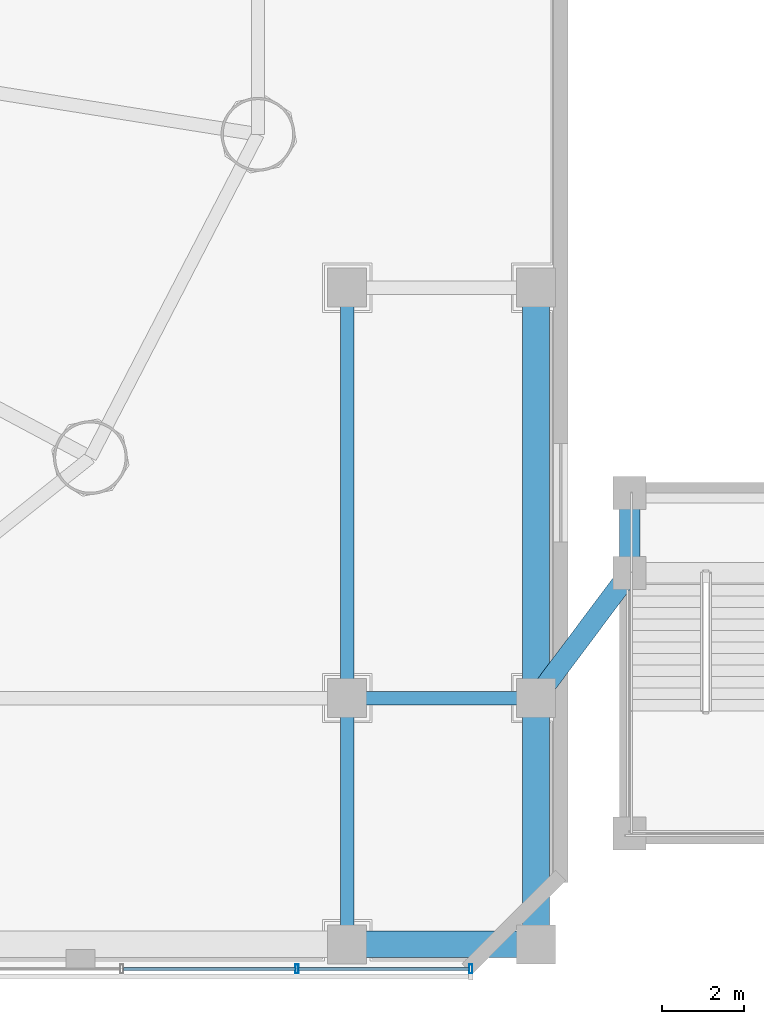
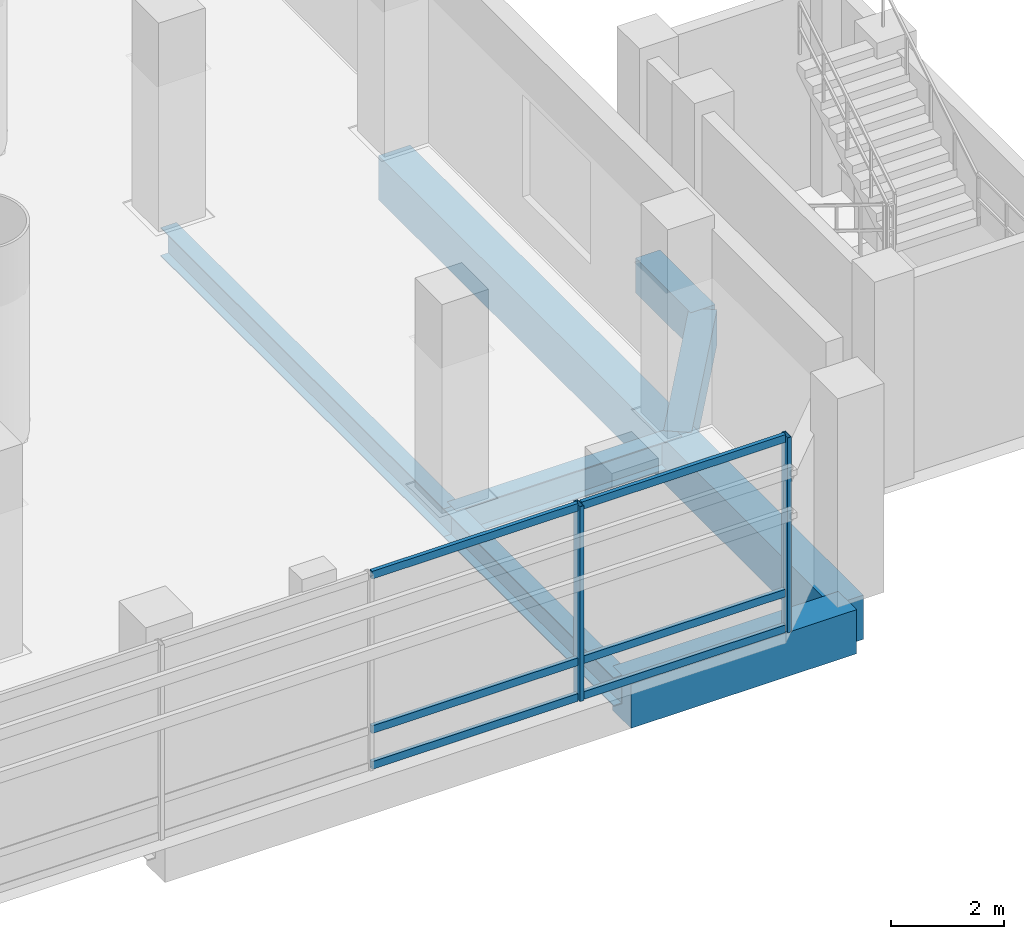
# One storey, part 16 of 36: 8 beams, 8 members, 1 element without a shape of its own.
"""IFC4 building model written with IfcOpenShell, lengths in metres."""

from ifc_helpers import new_model, si_unit, direction, frame, origin, origin_2d, place, context, subcontext, project, spatial, rectangle, hollow_rectangle, i_section, extrude, source, transform, mapped, material, material_profile, profile_set, type_object, element, aggregate, save


model = new_model("IFC4")

# Units and contexts
model_context = context("Model", 3, precision=1e-05, world=origin(), true_north=direction((-0.2419218956, 0.970295726276)))
body_context = subcontext(model_context, "Body", "Model", "MODEL_VIEW")
ifc_project = project(units=[si_unit("LENGTHUNIT", "METRE"), si_unit("AREAUNIT", "SQUARE_METRE"), si_unit("VOLUMEUNIT", "CUBIC_METRE"), si_unit("PLANEANGLEUNIT", "RADIAN"), si_unit("MASSUNIT", "GRAM", prefix="KILO")], contexts=[model_context])

# Site, building, storey
site_placement = place(None, origin())
site = spatial("IfcSite", under=ifc_project, at=site_placement, CompositionType="ELEMENT")
building_placement = place(site_placement, origin())
building = spatial("IfcBuilding", under=site, at=building_placement, Name="Cobrevalo Terracotta Tower", CompositionType="ELEMENT")
storey_placement = place(building_placement, frame((0.0, 0.0, 5.39990234375)))
storey = spatial("IfcBuildingStorey", under=building, at=storey_placement, Name="L01", CompositionType="ELEMENT", Elevation=5.39990234375)

# Beams
ifc_material_1 = material(Name="Steel S355", Category="steel")
ifc_material_profile_1 = material_profile(ifc_material_1, i_section(OverallWidth=0.324951171875, OverallDepth=0.615966796875, WebThickness=0.013916015625, FlangeThickness=0.021484375, at=origin_2d()), Name="W 610x174")
ifc_profile_set_1 = profile_set([ifc_material_profile_1], Name="Steel S355")
beam_type_1 = type_object("IfcBeamType", Name="Structural Beam W 610x174 (Steel S355)", PredefinedType="BEAM", material=ifc_profile_set_1)
beam_1_placement = place(storey_placement, frame((67.0, 2.800048828125, -0.60791015625), z_axis=(0.0, 1.0, 0.0), x_axis=(-1.0, 0.0, 0.0)))
element("IfcBeam", 1, at=beam_1_placement, inside=storey, type_object=beam_type_1, Name="L01 podium grid beam G8-GA to G8-GB", PredefinedType="BEAM", context=body_context, shape_type="SweptSolid", body=[
    extrude(i_section(OverallWidth=0.324951171875, OverallDepth=0.615966796875, WebThickness=0.013916015625, FlangeThickness=0.021484375, at=origin_2d()), origin(), (0.0, 0.0, 1.0), 6.0),
])
beam_2_placement = place(storey_placement, frame((67.0, 8.800048828125, -0.60791015625), z_axis=(0.0, 1.0, 0.0), x_axis=(-1.0, 0.0, 0.0)))
element("IfcBeam", 2, at=beam_2_placement, inside=storey, type_object=beam_type_1, Name="L01 podium grid beam G8-GB to G8-GC", PredefinedType="BEAM", context=body_context, shape_type="SweptSolid", body=[
    extrude(i_section(OverallWidth=0.324951171875, OverallDepth=0.615966796875, WebThickness=0.013916015625, FlangeThickness=0.021484375, at=origin_2d()), origin(), (0.0, 0.0, 1.0), 10.0),
])
beam_3_placement = place(storey_placement, frame((67.0, 8.800048828125, -0.60791015625), z_axis=(1.0, 0.0, 0.0), x_axis=(0.0, 1.0, 0.0)))
element("IfcBeam", 3, at=beam_3_placement, inside=storey, type_object=beam_type_1, Name="L01 podium grid beam G8-GB to G9-GB", PredefinedType="BEAM", context=body_context, shape_type="SweptSolid", body=[
    extrude(i_section(OverallWidth=0.324951171875, OverallDepth=0.615966796875, WebThickness=0.013916015625, FlangeThickness=0.021484375, at=origin_2d()), origin(), (0.0, 0.0, 1.0), 4.60009765625),
])
ifc_material_2 = material(Name="Concrete C50", Category="concrete")
ifc_material_profile_2 = material_profile(ifc_material_2, rectangle(XDim=0.64990234375, YDim=0.949951171875, at=origin_2d()), Name="RC BM 650x950")
ifc_profile_set_2 = profile_set([ifc_material_profile_2], Name="Concrete C50")
beam_type_2 = type_object("IfcBeamType", Name="Structural Spandrel RC BM 650x950 (Concrete C50)", PredefinedType="SPANDREL", material=ifc_profile_set_2)
beam_4_placement = place(storey_placement, frame((67.0, 2.800048828125, -0.77490234375), z_axis=(1.0, 0.0, 0.0), x_axis=(0.0, 1.0, 0.0)))
element("IfcBeam", 4, at=beam_4_placement, inside=storey, type_object=beam_type_2, Name="L01 podium grid beam G8-GA to G9-GA", PredefinedType="SPANDREL", context=body_context, shape_type="SweptSolid", body=[
    extrude(rectangle(XDim=0.64990234375, YDim=0.949951171875, at=origin_2d()), origin(), (0.0, 0.0, 1.0), 4.60009765625),
])
beam_5_placement = place(storey_placement, frame((71.60009765625, 2.800048828125, -0.77490234375), z_axis=(0.0, 1.0, 0.0), x_axis=(-1.0, 0.0, 0.0)))
element("IfcBeam", 5, at=beam_5_placement, inside=storey, type_object=beam_type_2, Name="L01 podium grid beam G9-GA to G9-GB", PredefinedType="SPANDREL", context=body_context, shape_type="SweptSolid", body=[
    extrude(rectangle(XDim=0.64990234375, YDim=0.949951171875, at=origin_2d()), origin(), (0.0, 0.0, 1.0), 6.0),
])
beam_6_placement = place(storey_placement, frame((71.60009765625, 8.800048828125, -0.77490234375), z_axis=(0.0, 1.0, 0.0), x_axis=(-1.0, 0.0, 0.0)))
element("IfcBeam", 6, at=beam_6_placement, inside=storey, type_object=beam_type_2, Name="L01 podium grid beam G9-GB to G9-GC", PredefinedType="SPANDREL", context=body_context, shape_type="SweptSolid", body=[
    extrude(rectangle(XDim=0.64990234375, YDim=0.949951171875, at=origin_2d()), origin(), (0.0, 0.0, 1.0), 10.0),
])
ifc_material_profile_3 = material_profile(ifc_material_2, rectangle(XDim=0.5, YDim=0.75, at=origin_2d()), Name="RC BM 500x750")
ifc_profile_set_3 = profile_set([ifc_material_profile_3], Name="Concrete C50")
beam_type_3 = type_object("IfcBeamType", Name="Structural T Beam RC BM 500x750 (Concrete C50)", PredefinedType="T_BEAM", material=ifc_profile_set_3)
beam_7_placement = place(storey_placement, frame((73.8798828125, 11.85009765625, -0.6748046875), z_axis=(0.0, 1.0, 0.0), x_axis=(-1.0, 0.0, 0.0)))
element("IfcBeam", 7, at=beam_7_placement, inside=storey, type_object=beam_type_3, Name="L01 garden stair landing side beam E1", PredefinedType="T_BEAM", context=body_context, shape_type="SweptSolid", body=[
    extrude(rectangle(XDim=0.5, YDim=0.75, at=origin_2d()), origin(), (0.0, 0.0, 1.0), 1.949951171875),
])
beam_8_placement = place(storey_placement, frame((73.8798828125, 11.85009765625, -0.6748046875), z_axis=(-0.59869640819, -0.800976036359, 0.0), x_axis=(0.800976036359, -0.59869640819, 0.0)))
element("IfcBeam", 8, at=beam_8_placement, inside=storey, type_object=beam_type_3, Name="L01 garden stair frame tie beam E1", PredefinedType="T_BEAM", context=body_context, shape_type="SweptSolid", body=[
    extrude(rectangle(XDim=0.5, YDim=0.75, at=origin_2d()), origin(), (0.0, 0.0, 1.0), 3.807861328125),
])

# Curtain wall, members
ifc_material_3 = material(Name="Anodized aluminium", Category="aluminium")
curtain_wall_type = type_object("IfcCurtainWallType", Name="Double-height storefront stick curtain wall CW-S1", PredefinedType="NOTDEFINED", material=ifc_material_3)
curtain_wall_placement = place(storey_placement, origin())
curtain_wall = element("IfcCurtainWall", 9, at=curtain_wall_placement, inside=storey, type_object=curtain_wall_type, Name="L01 curtain wall CW-POD-L01-S", PredefinedType="NOTDEFINED")
ifc_material_profile_4 = material_profile(ifc_material_3, hollow_rectangle(XDim=0.080078125, YDim=0.219970703125, WallThickness=0.0048828125, at=origin_2d()), Name="CWM 80x220")
ifc_profile_set_4 = profile_set([ifc_material_profile_4], Name="Anodized aluminium")
member_type_1 = type_object("IfcMemberType", Name="Storefront & atrium aluminium mullion 80x220", PredefinedType="MULLION", material=ifc_profile_set_4)
shared_shape_1 = source(origin(), body_context, "Body", "SweptSolid", [
    extrude(hollow_rectangle(XDim=0.080078125, YDim=0.219970703125, WallThickness=0.0048828125, at=origin_2d()), origin(), (0.0, 0.0, 1.0), 4.2001953125),
])
member_1_placement = place(storey_placement, frame((65.776611328125, 2.199951171875, 0.0), z_axis=(0.0, 0.0, 1.0), x_axis=(1.0, 0.0, 0.0)))
member_1 = element("IfcMember", 10, at=member_1_placement, type_object=member_type_1, Name="CW-POD-L01-S vertical mullion 15", PredefinedType="MULLION", context=body_context, shape_type="MappedRepresentation", body=[
    mapped(shared_shape_1, transform((0.0, 0.0, 0.0), scale=1.0)),
])
member_2_placement = place(storey_placement, frame((70.010009765625, 2.199951171875, 0.0), z_axis=(0.0, 0.0, 1.0), x_axis=(1.0, 0.0, 0.0)))
member_2 = element("IfcMember", 11, at=member_2_placement, type_object=member_type_1, Name="CW-POD-L01-S vertical mullion 16", PredefinedType="MULLION", context=body_context, shape_type="MappedRepresentation", body=[
    mapped(shared_shape_1, transform((0.0, 0.0, 0.0), scale=1.0)),
])
ifc_material_profile_5 = material_profile(ifc_material_3, hollow_rectangle(XDim=0.080078125, YDim=0.1650390625, WallThickness=0.00439453125, at=origin_2d()), Name="CWT 80x165")
ifc_profile_set_5 = profile_set([ifc_material_profile_5], Name="Anodized aluminium")
member_type_2 = type_object("IfcMemberType", Name="Storefront & atrium aluminium transom 80x165", PredefinedType="USERDEFINED", material=ifc_profile_set_5)
shared_shape_2 = source(origin(), body_context, "Body", "SweptSolid", [
    extrude(hollow_rectangle(XDim=0.080078125, YDim=0.1650390625, WallThickness=0.00439453125, at=origin_2d()), origin(), (0.0, 0.0, 1.0), 4.1533203125),
])
member_3_placement = place(storey_placement, frame((65.816650390625, 2.199951171875, 0.050048828125), z_axis=(1.0, 0.0, 0.0), x_axis=(0.0, 1.0, 0.0)))
member_3 = element("IfcMember", 12, at=member_3_placement, type_object=member_type_2, Name="CW-POD-L01-S transom B15-T1", ObjectType="TRANSOM", PredefinedType="USERDEFINED", context=body_context, shape_type="MappedRepresentation", body=[
    mapped(shared_shape_2, transform((0.0, 0.0, 0.0), scale=1.0)),
])
member_4_placement = place(storey_placement, frame((65.816650390625, 2.199951171875, 0.820068359375), z_axis=(1.0, 0.0, 0.0), x_axis=(0.0, 1.0, 0.0)))
member_4 = element("IfcMember", 13, at=member_4_placement, type_object=member_type_2, Name="CW-POD-L01-S transom B15-T2", ObjectType="TRANSOM", PredefinedType="USERDEFINED", context=body_context, shape_type="MappedRepresentation", body=[
    mapped(shared_shape_2, transform((0.0, 0.0, 0.0), scale=1.0)),
])
member_5_placement = place(storey_placement, frame((65.816650390625, 2.199951171875, 4.150146484375), z_axis=(1.0, 0.0, 0.0), x_axis=(0.0, 1.0, 0.0)))
member_5 = element("IfcMember", 14, at=member_5_placement, type_object=member_type_2, Name="CW-POD-L01-S transom B15-T3", ObjectType="TRANSOM", PredefinedType="USERDEFINED", context=body_context, shape_type="MappedRepresentation", body=[
    mapped(shared_shape_2, transform((0.0, 0.0, 0.0), scale=1.0)),
])
shared_shape_3 = source(origin(), body_context, "Body", "SweptSolid", [
    extrude(hollow_rectangle(XDim=0.080078125, YDim=0.1650390625, WallThickness=0.00439453125, at=origin_2d()), origin(), (0.0, 0.0, 1.0), 4.193359375),
])
member_6_placement = place(storey_placement, frame((61.543212890625, 2.199951171875, 0.050048828125), z_axis=(1.0, 0.0, 0.0), x_axis=(0.0, 1.0, 0.0)))
member_6 = element("IfcMember", 15, at=member_6_placement, type_object=member_type_2, Name="CW-POD-L01-S transom B14-T1", ObjectType="TRANSOM", PredefinedType="USERDEFINED", context=body_context, shape_type="MappedRepresentation", body=[
    mapped(shared_shape_3, transform((0.0, 0.0, 0.0), scale=1.0)),
])
member_7_placement = place(storey_placement, frame((61.543212890625, 2.199951171875, 0.820068359375), z_axis=(1.0, 0.0, 0.0), x_axis=(0.0, 1.0, 0.0)))
member_7 = element("IfcMember", 16, at=member_7_placement, type_object=member_type_2, Name="CW-POD-L01-S transom B14-T2", ObjectType="TRANSOM", PredefinedType="USERDEFINED", context=body_context, shape_type="MappedRepresentation", body=[
    mapped(shared_shape_3, transform((0.0, 0.0, 0.0), scale=1.0)),
])
member_8_placement = place(storey_placement, frame((61.543212890625, 2.199951171875, 4.150146484375), z_axis=(1.0, 0.0, 0.0), x_axis=(0.0, 1.0, 0.0)))
member_8 = element("IfcMember", 17, at=member_8_placement, type_object=member_type_2, Name="CW-POD-L01-S transom B14-T3", ObjectType="TRANSOM", PredefinedType="USERDEFINED", context=body_context, shape_type="MappedRepresentation", body=[
    mapped(shared_shape_3, transform((0.0, 0.0, 0.0), scale=1.0)),
])
aggregate(curtain_wall, [member_1, member_2, member_6, member_7, member_8, member_3, member_4, member_5])

save(model, "model.ifc")
